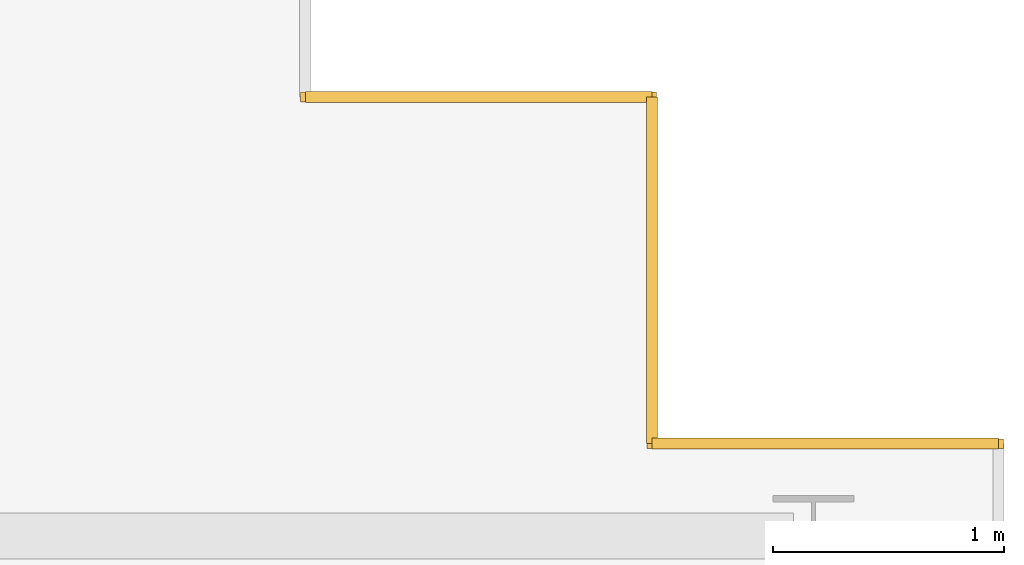
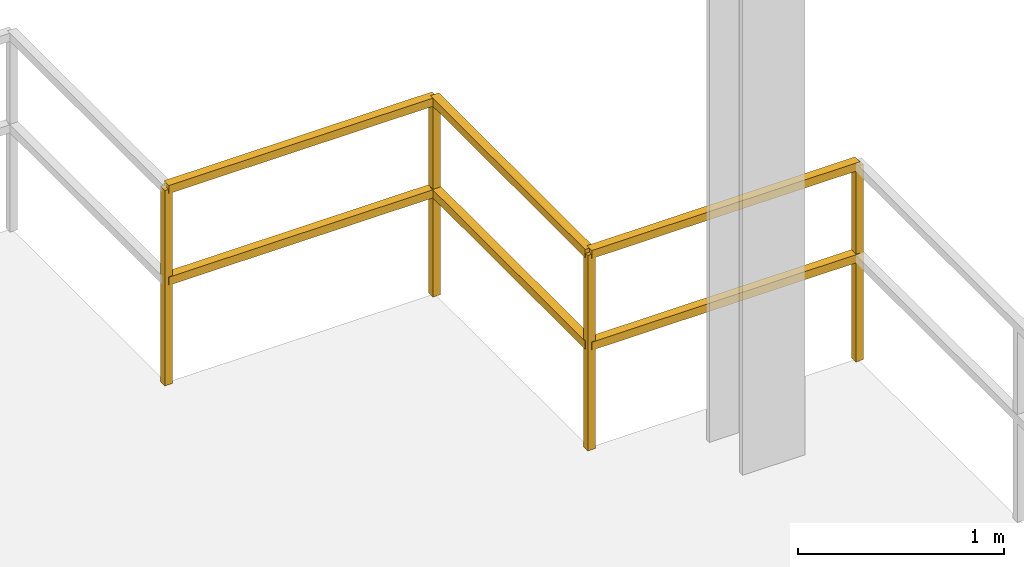
# One storey, part 15 of 15: 3 railings.
"""IFC4 building model written with IfcOpenShell, lengths in metres."""

from ifc_helpers import new_model, si_unit, direction, frame, origin, origin_2d, place, context, subcontext, project, spatial, rectangle, extrude, material, type_object, element, save


model = new_model("IFC4")

# Units and contexts
model_context = context("Model", 3, precision=1e-05, world=origin(), true_north=direction((0.0, 1.0)))
body_context = subcontext(model_context, "Body", "Model", "MODEL_VIEW")
ifc_project = project(units=[si_unit("LENGTHUNIT", "METRE"), si_unit("AREAUNIT", "SQUARE_METRE"), si_unit("VOLUMEUNIT", "CUBIC_METRE"), si_unit("PLANEANGLEUNIT", "RADIAN"), si_unit("MASSUNIT", "GRAM", prefix="KILO")], contexts=[model_context])

# Site, building, storey
site_placement = place(None, origin())
site = spatial("IfcSite", under=ifc_project, at=site_placement, CompositionType="ELEMENT")
building_placement = place(site_placement, origin())
building = spatial("IfcBuilding", under=site, at=building_placement, Name="Trelvane Seafront Commons", CompositionType="ELEMENT")
storey_placement = place(building_placement, frame((0.0, 0.0, 240.89990234375)))
storey = spatial("IfcBuildingStorey", under=building, at=storey_placement, Name="L63", CompositionType="ELEMENT", Elevation=240.89990234375)

# Railings
ifc_material = material(Name="Stainless steel balustrade", Category="steel")
railing_type = type_object("IfcRailingType", Name="ARCH-RAIL-BAL1150", PredefinedType="BALUSTRADE", material=ifc_material)
railing_1_placement = place(storey_placement, frame((66.39990234375, 45.5, 0.0)))
element("IfcRailing", 1, at=railing_1_placement, inside=storey, type_object=railing_type, Name="RL-L63-PERIM-07", PredefinedType="BALUSTRADE", context=body_context, shape_type="SweptSolid", body=[
    extrude(rectangle(XDim=0.048095703125, YDim=0.048095703125, at=origin_2d()), frame((0.0, 0.0, 1.15576171875), z_axis=(-1.0, 0.0, 0.0), x_axis=(0.0, -1.0, 0.0)), (0.0, 0.0, 1.0), 1.5),
    extrude(rectangle(XDim=0.048095703125, YDim=0.048095703125, at=origin_2d()), frame((0.0, 0.0, 0.613525390625), z_axis=(-1.0, 0.0, 0.0), x_axis=(0.0, -1.0, 0.0)), (0.0, 0.0, 1.0), 1.5),
    extrude(rectangle(XDim=0.0419921875, YDim=0.0419921875, at=origin_2d()), origin(), (0.0, 0.0, 1.0), 1.15576171875),
    extrude(rectangle(XDim=0.0419921875, YDim=0.0419921875, at=origin_2d()), frame((-1.5, 0.0, 0.0)), (0.0, 0.0, 1.0), 1.15576171875),
])
railing_2_placement = place(storey_placement, frame((64.89990234375, 45.5, 0.0)))
element("IfcRailing", 2, at=railing_2_placement, inside=storey, type_object=railing_type, Name="RL-L63-PERIM-08", PredefinedType="BALUSTRADE", context=body_context, shape_type="SweptSolid", body=[
    extrude(rectangle(XDim=0.048095703125, YDim=0.048095703125, at=origin_2d()), frame((0.0, 0.0, 1.15576171875), z_axis=(0.0, 1.0, 0.0), x_axis=(-1.0, 0.0, 0.0)), (0.0, 0.0, 1.0), 1.5),
    extrude(rectangle(XDim=0.048095703125, YDim=0.048095703125, at=origin_2d()), frame((0.0, 0.0, 0.613525390625), z_axis=(0.0, 1.0, 0.0), x_axis=(-1.0, 0.0, 0.0)), (0.0, 0.0, 1.0), 1.5),
    extrude(rectangle(XDim=0.0419921875, YDim=0.0419921875, at=origin_2d()), origin(), (0.0, 0.0, 1.0), 1.15576171875),
    extrude(rectangle(XDim=0.0419921875, YDim=0.0419921875, at=origin_2d()), frame((0.0, 1.5, 0.0)), (0.0, 0.0, 1.0), 1.15576171875),
])
railing_3_placement = place(storey_placement, frame((64.89990234375, 47.0, 0.0)))
element("IfcRailing", 3, at=railing_3_placement, inside=storey, type_object=railing_type, Name="RL-L63-PERIM-09", PredefinedType="BALUSTRADE", context=body_context, shape_type="SweptSolid", body=[
    extrude(rectangle(XDim=0.048095703125, YDim=0.048095703125, at=origin_2d()), frame((0.0, 0.0, 1.15576171875), z_axis=(-1.0, 0.0, 0.0), x_axis=(0.0, -1.0, 0.0)), (0.0, 0.0, 1.0), 1.5),
    extrude(rectangle(XDim=0.048095703125, YDim=0.048095703125, at=origin_2d()), frame((0.0, 0.0, 0.613525390625), z_axis=(-1.0, 0.0, 0.0), x_axis=(0.0, -1.0, 0.0)), (0.0, 0.0, 1.0), 1.5),
    extrude(rectangle(XDim=0.0419921875, YDim=0.0419921875, at=origin_2d()), origin(), (0.0, 0.0, 1.0), 1.15576171875),
    extrude(rectangle(XDim=0.0419921875, YDim=0.0419921875, at=origin_2d()), frame((-1.5, 0.0, 0.0)), (0.0, 0.0, 1.0), 1.15576171875),
])

save(model, "model.ifc")
